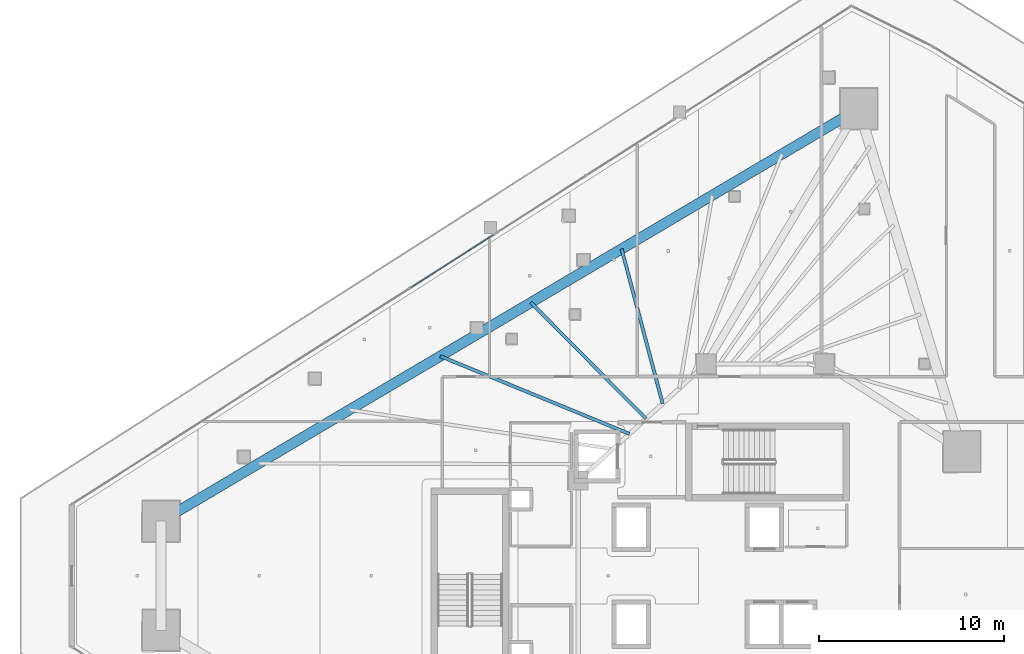
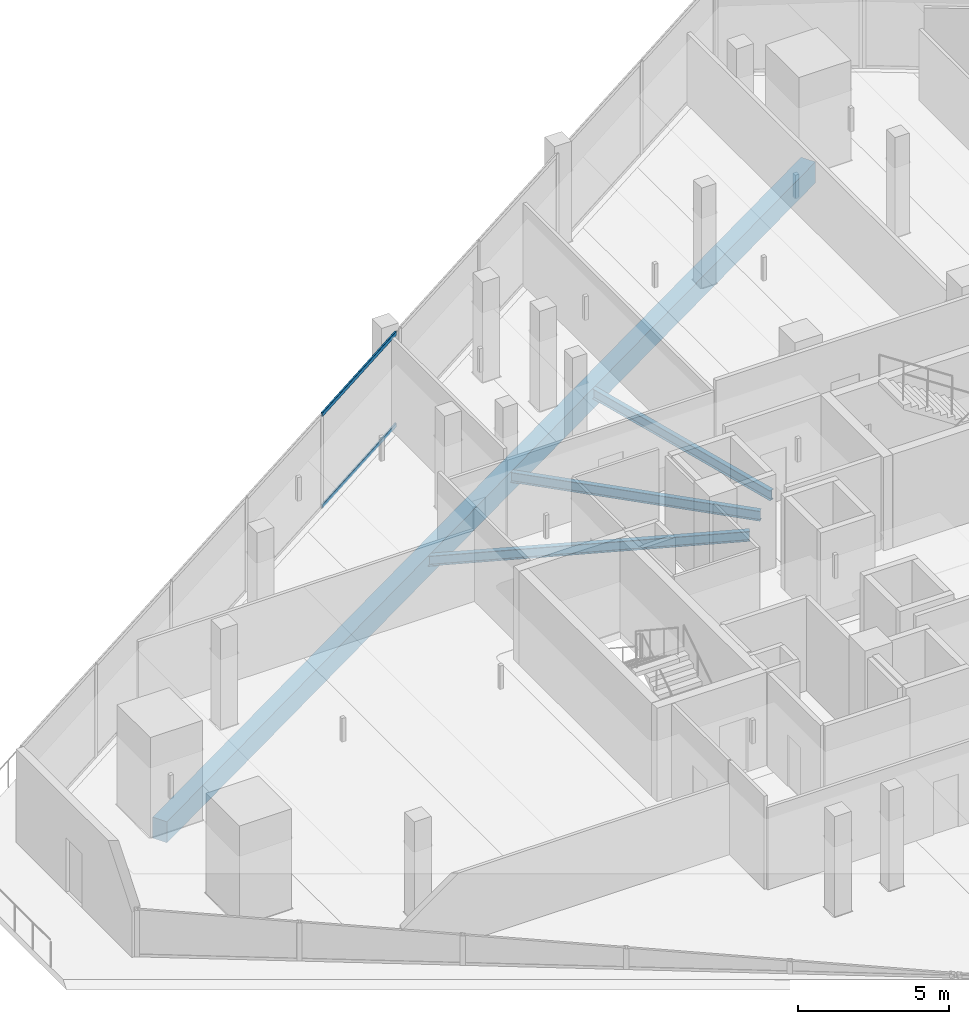
# One storey, part 15 of 35: 4 beams, 2 members, 1 element without a shape of its own.
"""IFC4 building model written with IfcOpenShell, lengths in metres."""

from ifc_helpers import new_model, si_unit, direction, frame, origin, origin_2d, place, context, subcontext, project, spatial, rectangle, hollow_rectangle, i_section, extrude, material, layer, layer_set, material_profile, profile_set, type_object, element, aggregate, save


model = new_model("IFC4")

# Units and contexts
model_context = context("Model", 3, precision=1e-05, world=origin(), true_north=direction((0.0, 1.0)))
body_context = subcontext(model_context, "Body", "Model", "MODEL_VIEW")
ifc_project = project(units=[si_unit("LENGTHUNIT", "METRE"), si_unit("AREAUNIT", "SQUARE_METRE"), si_unit("VOLUMEUNIT", "CUBIC_METRE"), si_unit("PLANEANGLEUNIT", "RADIAN"), si_unit("MASSUNIT", "GRAM", prefix="KILO")], contexts=[model_context])

# Site, building, storey
site_placement = place(None, origin())
site = spatial("IfcSite", under=ifc_project, at=site_placement, CompositionType="ELEMENT")
building_placement = place(site_placement, origin())
building = spatial("IfcBuilding", under=site, at=building_placement, Name="Qorvath Tower", CompositionType="ELEMENT")
storey_placement = place(building_placement, frame((0.0, 0.0, 130.050048828125)))
storey = spatial("IfcBuildingStorey", under=building, at=storey_placement, Name="L29", CompositionType="ELEMENT", Elevation=130.050048828125)

# Beams
ifc_material_1 = material(Name="Steel ASTM A992 Grade 50", Category="steel")
ifc_material_profile_1 = material_profile(ifc_material_1, i_section(OverallWidth=0.177978515625, OverallDepth=0.406005859375, WebThickness=0.0078125, FlangeThickness=0.0126953125, FilletRadius=0.010986328125, at=origin_2d()), Name="W16x40")
ifc_profile_set_1 = profile_set([ifc_material_profile_1], Name="Steel ASTM A992 Grade 50")
beam_type_1 = type_object("IfcBeamType", Name="BM-FJ3", PredefinedType="JOIST", material=ifc_profile_set_1)
beam_1_placement = place(storey_placement, frame((-27.739990234375, 7.669921875, -0.483154296875), z_axis=(-0.925068176006, 0.379801092338, 0.0), x_axis=(-0.379801092338, -0.925068176006, 0.0)))
element("IfcBeam", 1, at=beam_1_placement, inside=storey, type_object=beam_type_1, Name="Composite Floor Joist NW3 L29", PredefinedType="JOIST", context=body_context, shape_type="SweptSolid", body=[
    extrude(i_section(OverallWidth=0.177978515625, OverallDepth=0.406005859375, WebThickness=0.0078125, FlangeThickness=0.0126953125, FilletRadius=0.010986328125, at=origin_2d()), origin(), (0.0, 0.0, 1.0), 11.0556640625),
])
beam_2_placement = place(storey_placement, frame((-26.843017578125, 8.489013671875, -0.483154296875), z_axis=(-0.70395121362, 0.710248328997, 0.0), x_axis=(-0.710248328997, -0.70395121362, 0.0)))
element("IfcBeam", 2, at=beam_2_placement, inside=storey, type_object=beam_type_1, Name="Composite Floor Joist NW4 L29", PredefinedType="JOIST", context=body_context, shape_type="SweptSolid", body=[
    extrude(i_section(OverallWidth=0.177978515625, OverallDepth=0.406005859375, WebThickness=0.0078125, FlangeThickness=0.0126953125, FilletRadius=0.010986328125, at=origin_2d()), origin(), (0.0, 0.0, 1.0), 8.839599609375),
])
beam_3_placement = place(storey_placement, frame((-25.946044921875, 9.30810546875, -0.483154296875), z_axis=(-0.256507909517, 0.966542131702, 0.0), x_axis=(-0.966542131702, -0.256507909517, 0.0)))
element("IfcBeam", 3, at=beam_3_placement, inside=storey, type_object=beam_type_1, Name="Composite Floor Joist NW5 L29", PredefinedType="JOIST", context=body_context, shape_type="SweptSolid", body=[
    extrude(i_section(OverallWidth=0.177978515625, OverallDepth=0.406005859375, WebThickness=0.0078125, FlangeThickness=0.0126953125, FilletRadius=0.010986328125, at=origin_2d()), origin(), (0.0, 0.0, 1.0), 8.64697265625),
])
ifc_material_2 = material(Name="Concrete C50/60", Category="concrete")
ifc_material_profile_2 = material_profile(ifc_material_2, rectangle(XDim=0.550048828125, YDim=0.85009765625, at=origin_2d()), Name="RCB 850x550")
ifc_profile_set_2 = profile_set([ifc_material_profile_2], Name="Concrete C50/60")
beam_type_2 = type_object("IfcBeamType", Name="BM-RCB2", PredefinedType="SPANDREL", material=ifc_profile_set_2)
beam_4_placement = place(storey_placement, frame((-15.34423828125, 25.24609375, -0.705078125), z_axis=(-0.860775142889, -0.508985415689, 0.0), x_axis=(0.508985415689, -0.860775142889, 0.0)))
element("IfcBeam", 4, at=beam_4_placement, inside=storey, type_object=beam_type_2, Name="Perimeter Loggia Frame Beam MC6-MC1 L29", PredefinedType="SPANDREL", context=body_context, shape_type="SweptSolid", body=[
    extrude(rectangle(XDim=0.550048828125, YDim=0.85009765625, at=origin_2d()), origin(), (0.0, 0.0, 1.0), 43.8037109375),
])

# Curtain wall, members
ifc_material_3 = material(Name="Anodised aluminium and triple low-E glass", Category="aluminium")
ifc_layer = layer(ifc_material_3, 0.179931640625)
ifc_layer_set = layer_set([ifc_layer], Name="CW-SYS-2")
curtain_wall_type = type_object("IfcCurtainWallType", Name="CW-SYS-2", PredefinedType="NOTDEFINED", material=ifc_layer_set)
curtain_wall_placement = place(storey_placement, origin())
curtain_wall = element("IfcCurtainWall", 5, at=curtain_wall_placement, inside=storey, type_object=curtain_wall_type, Name="Curtain Wall CW-2 CW-T-L29-16.3", PredefinedType="NOTDEFINED")
ifc_material_4 = material(Name="Anodised aluminium 6063-T6", Category="aluminium")
ifc_material_profile_3 = material_profile(ifc_material_4, hollow_rectangle(XDim=0.06494140625, YDim=0.159912109375, WallThickness=0.00341796875, InnerFilletRadius=0.00341796875, OuterFilletRadius=0.007080078125, at=origin_2d()), Name="CWT 160x65")
ifc_profile_set_3 = profile_set([ifc_material_profile_3], Name="Anodised aluminium 6063-T6")
member_type = type_object("IfcMemberType", Name="CWT-160", PredefinedType="USERDEFINED", material=ifc_profile_set_3)
member_1_placement = place(storey_placement, frame((-35.083984375, 18.42431640625, 0.032470703125), z_axis=(-0.842595771585, -0.53854653068, 0.0), x_axis=(0.53854653068, -0.842595771585, 0.0)))
member_1 = element("IfcMember", 6, at=member_1_placement, type_object=member_type, Name="CW-2 transom 1.1", ObjectType="TRANSOM", PredefinedType="USERDEFINED", context=body_context, shape_type="SweptSolid", body=[
    extrude(hollow_rectangle(XDim=0.06494140625, YDim=0.159912109375, WallThickness=0.00341796875, InnerFilletRadius=0.00341796875, OuterFilletRadius=0.007080078125, at=origin_2d()), origin(), (0.0, 0.0, 1.0), 5.328369140625),
])
member_2_placement = place(storey_placement, frame((-35.083984375, 18.42431640625, 3.74755859375), z_axis=(-0.842595771585, -0.53854653068, 0.0), x_axis=(0.53854653068, -0.842595771585, 0.0)))
member_2 = element("IfcMember", 7, at=member_2_placement, type_object=member_type, Name="CW-2 transom 1.2", ObjectType="TRANSOM", PredefinedType="USERDEFINED", context=body_context, shape_type="SweptSolid", body=[
    extrude(hollow_rectangle(XDim=0.06494140625, YDim=0.159912109375, WallThickness=0.00341796875, InnerFilletRadius=0.00341796875, OuterFilletRadius=0.007080078125, at=origin_2d()), origin(), (0.0, 0.0, 1.0), 5.328369140625),
])
aggregate(curtain_wall, [member_1, member_2])

save(model, "model.ifc")
